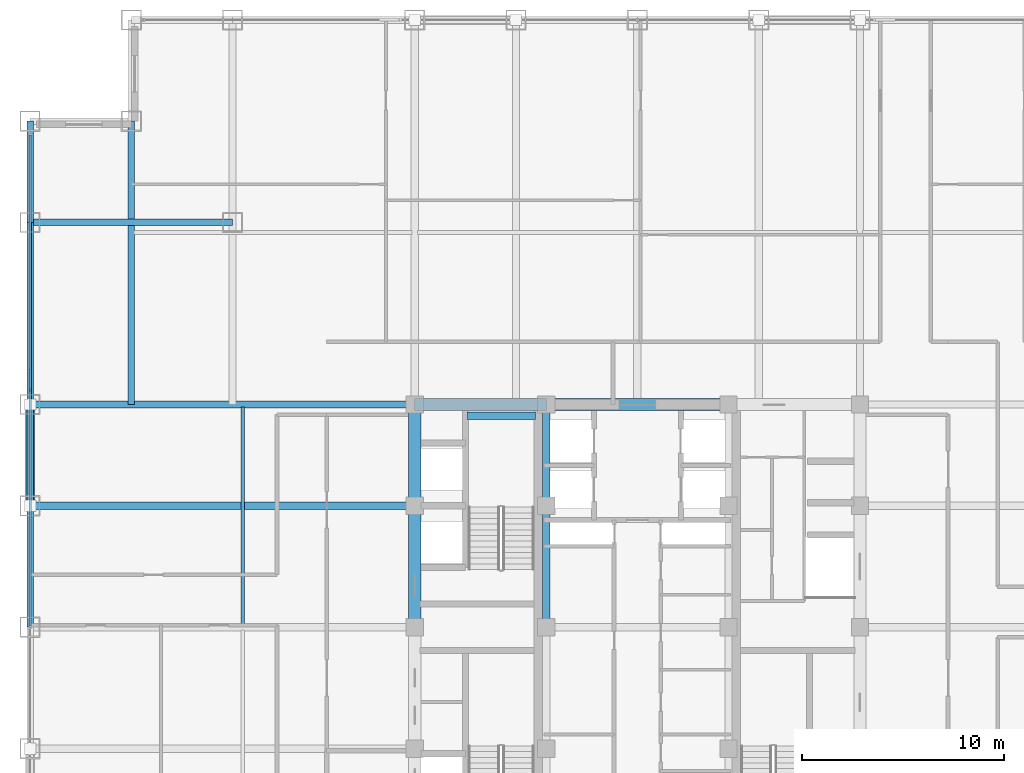
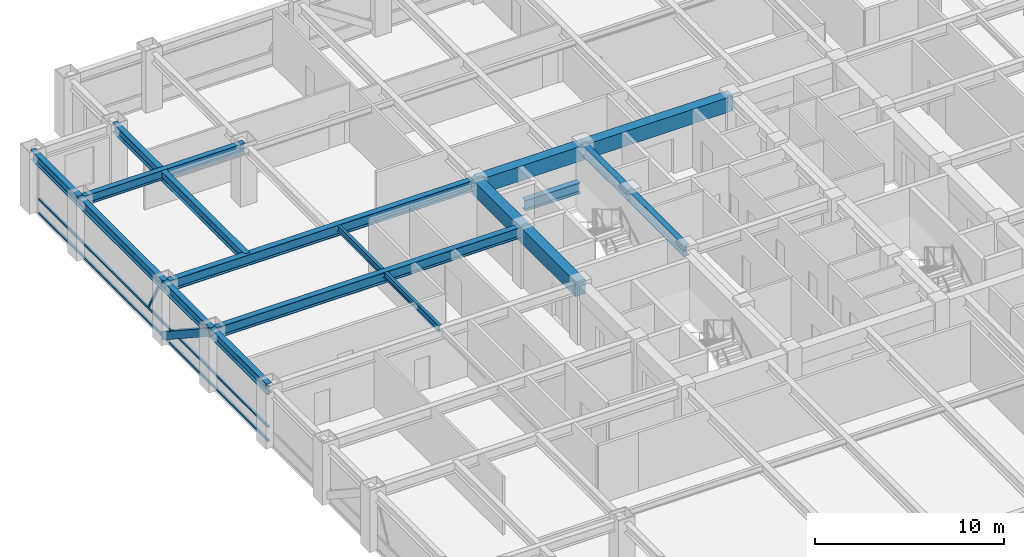
# One storey, part 11 of 25: 16 beams, 5 members, 1 element without a shape of its own.
"""IFC4 building model written with IfcOpenShell, lengths in metres."""

from ifc_helpers import new_model, si_unit, direction, frame, origin, origin_2d, place, context, subcontext, project, spatial, rectangle, hollow_rectangle, i_section, extrude, source, transform, mapped, material, material_profile, profile_set, type_object, element, aggregate, save


model = new_model("IFC4")

# Units and contexts
model_context = context("Model", 3, precision=1e-05, world=origin(), true_north=direction((0.0, 1.0)))
body_context = subcontext(model_context, "Body", "Model", "MODEL_VIEW")
ifc_project = project(units=[si_unit("LENGTHUNIT", "METRE"), si_unit("AREAUNIT", "SQUARE_METRE"), si_unit("VOLUMEUNIT", "CUBIC_METRE"), si_unit("PLANEANGLEUNIT", "RADIAN"), si_unit("MASSUNIT", "GRAM", prefix="KILO")], contexts=[model_context])

# Site, building, storey
site_placement = place(None, origin())
site = spatial("IfcSite", under=ifc_project, at=site_placement, CompositionType="ELEMENT")
building_placement = place(site_placement, origin())
building = spatial("IfcBuilding", under=site, at=building_placement, Name="Khorayat Bourse Tower", CompositionType="ELEMENT")
storey_placement = place(building_placement, frame((0.0, 0.0, 231.10009765625)))
storey = spatial("IfcBuildingStorey", under=building, at=storey_placement, Name="L54", CompositionType="ELEMENT", Elevation=231.10009765625)

# Beams
ifc_material_1 = material(Name="Steel ASTM A992 Grade 50", Category="steel")
ifc_material_profile_1 = material_profile(ifc_material_1, i_section(OverallWidth=0.35498046875, OverallDepth=0.695068359375, WebThickness=0.015380859375, FlangeThickness=0.02490234375, FilletRadius=0.01806640625, at=origin_2d()), Name="W690X217")
ifc_profile_set_1 = profile_set([ifc_material_profile_1], Name="Steel ASTM A992 Grade 50")
beam_type_1 = type_object("IfcBeamType", Name="BM-GIRD-690", PredefinedType="BEAM", material=ifc_profile_set_1)
shared_shape_1 = source(origin(), body_context, "Body", "SweptSolid", [
    extrude(i_section(OverallWidth=0.35498046875, OverallDepth=0.695068359375, WebThickness=0.015380859375, FlangeThickness=0.02490234375, FilletRadius=0.01806640625, at=origin_2d()), origin(), (0.0, 0.0, 1.0), 5.0),
])
beam_1_placement = place(storey_placement, frame((-4.5, 6.0, 3.432373046875), z_axis=(0.0, 1.0, 0.0), x_axis=(-1.0, 0.0, 0.0)))
element("IfcBeam", 1, at=beam_1_placement, inside=storey, type_object=beam_type_1, Name="L54 BM-GIRD-690 BM-L54-CRX-08", PredefinedType="BEAM", context=body_context, shape_type="MappedRepresentation", body=[
    mapped(shared_shape_1, transform((0.0, 0.0, 0.0), scale=1.0)),
])
shared_shape_2 = source(origin(), body_context, "Body", "SweptSolid", [
    extrude(i_section(OverallWidth=0.35498046875, OverallDepth=0.695068359375, WebThickness=0.015380859375, FlangeThickness=0.02490234375, FilletRadius=0.01806640625, at=origin_2d()), origin(), (0.0, 0.0, 1.0), 6.0),
])
beam_2_placement = place(storey_placement, frame((-4.5, 0.0, 3.432373046875), z_axis=(0.0, 1.0, 0.0), x_axis=(-1.0, 0.0, 0.0)))
element("IfcBeam", 2, at=beam_2_placement, inside=storey, type_object=beam_type_1, Name="L54 BM-GIRD-690 BM-L54-CRX-07", PredefinedType="BEAM", context=body_context, shape_type="MappedRepresentation", body=[
    mapped(shared_shape_2, transform((0.0, 0.0, 0.0), scale=1.0)),
])
shared_shape_3 = source(origin(), body_context, "Body", "SweptSolid", [
    extrude(i_section(OverallWidth=0.35498046875, OverallDepth=0.695068359375, WebThickness=0.015380859375, FlangeThickness=0.02490234375, FilletRadius=0.01806640625, at=origin_2d()), origin(), (0.0, 0.0, 1.0), 3.39990234375),
])
beam_3_placement = place(storey_placement, frame((-8.419921875, 10.449951171875, 1.452392578125), z_axis=(1.0, 0.0, 0.0), x_axis=(0.0, 1.0, 0.0)))
element("IfcBeam", 3, at=beam_3_placement, inside=storey, type_object=beam_type_1, Name="L54 BM-GIRD-690 BM-L54-ST2L", PredefinedType="BEAM", context=body_context, shape_type="MappedRepresentation", body=[
    mapped(shared_shape_3, transform((0.0, 0.0, 0.0), scale=1.0)),
])
ifc_material_profile_2 = material_profile(ifc_material_1, i_section(OverallWidth=0.324951171875, OverallDepth=0.615966796875, WebThickness=0.013916015625, FlangeThickness=0.021484375, FilletRadius=0.01611328125, at=origin_2d()), Name="W610X174")
ifc_profile_set_2 = profile_set([ifc_material_profile_2], Name="Steel ASTM A992 Grade 50")
beam_type_2 = type_object("IfcBeamType", Name="BM-GIRD-610", PredefinedType="BEAM", material=ifc_profile_set_2)
shared_shape_4 = source(origin(), body_context, "Body", "SweptSolid", [
    extrude(i_section(OverallWidth=0.324951171875, OverallDepth=0.615966796875, WebThickness=0.013916015625, FlangeThickness=0.021484375, FilletRadius=0.01611328125, at=origin_2d()), origin(), (0.0, 0.0, 1.0), 10.0),
])
beam_4_placement = place(storey_placement, frame((-30.0, 20.0, 3.471923828125), z_axis=(1.0, 0.0, 0.0), x_axis=(0.0, 1.0, 0.0)))
element("IfcBeam", 4, at=beam_4_placement, inside=storey, type_object=beam_type_2, Name="L54 BM-GIRD-610 BM-L54-CNRX-095", PredefinedType="BEAM", context=body_context, shape_type="MappedRepresentation", body=[
    mapped(shared_shape_4, transform((0.0, 0.0, 0.0), scale=1.0)),
])
ifc_material_profile_3 = material_profile(ifc_material_1, i_section(OverallWidth=0.180908203125, OverallDepth=0.4169921875, WebThickness=0.010986328125, FlangeThickness=0.018310546875, FilletRadius=0.011962890625, at=origin_2d()), Name="W410X85")
ifc_profile_set_3 = profile_set([ifc_material_profile_3], Name="Steel ASTM A992 Grade 50")
beam_type_3 = type_object("IfcBeamType", Name="BM-JOIST-410", PredefinedType="JOIST", material=ifc_profile_set_3)
shared_shape_5 = source(origin(), body_context, "Body", "SweptSolid", [
    extrude(i_section(OverallWidth=0.180908203125, OverallDepth=0.4169921875, WebThickness=0.010986328125, FlangeThickness=0.018310546875, FilletRadius=0.011962890625, at=origin_2d()), origin(), (0.0, 0.0, 1.0), 10.740234375),
])
beam_5_placement = place(storey_placement, frame((-19.5, 0.1298828125, 3.5712890625), z_axis=(0.0, 1.0, 0.0), x_axis=(-1.0, 0.0, 0.0)))
element("IfcBeam", 5, at=beam_5_placement, inside=storey, type_object=beam_type_3, Name="L54 BM-JOIST-410 BM-L54-JSTY-103", PredefinedType="JOIST", context=body_context, shape_type="MappedRepresentation", body=[
    mapped(shared_shape_5, transform((0.0, 0.0, 0.0), scale=1.0)),
])
ifc_material_profile_4 = material_profile(ifc_material_1, i_section(OverallWidth=0.324951171875, OverallDepth=0.615966796875, WebThickness=0.013916015625, FlangeThickness=0.021484375, FilletRadius=0.01611328125, at=origin_2d()), Name="W610X174")
ifc_profile_set_4 = profile_set([ifc_material_profile_4], Name="Steel ASTM A992 Grade 50")
beam_type_4 = type_object("IfcBeamType", Name="BM-SPAN-610", PredefinedType="SPANDREL", material=ifc_profile_set_4)
shared_shape_6 = source(origin(), body_context, "Body", "SweptSolid", [
    extrude(i_section(OverallWidth=0.324951171875, OverallDepth=0.615966796875, WebThickness=0.013916015625, FlangeThickness=0.021484375, FilletRadius=0.01611328125, at=origin_2d()), origin(), (0.0, 0.0, 1.0), 9.0),
])
beam_6_placement = place(storey_placement, frame((-30.0, 11.0, 3.471923828125), z_axis=(0.0, 1.0, 0.0), x_axis=(-1.0, 0.0, 0.0)))
element("IfcBeam", 6, at=beam_6_placement, inside=storey, type_object=beam_type_4, Name="L54 BM-SPAN-610 BM-L54-SPN-055", PredefinedType="SPANDREL", context=body_context, shape_type="MappedRepresentation", body=[
    mapped(shared_shape_6, transform((0.0, 0.0, 0.0), scale=1.0)),
])
shared_shape_7 = source(origin(), body_context, "Body", "SweptSolid", [
    extrude(i_section(OverallWidth=0.324951171875, OverallDepth=0.615966796875, WebThickness=0.013916015625, FlangeThickness=0.021484375, FilletRadius=0.01611328125, at=origin_2d()), origin(), (0.0, 0.0, 1.0), 5.0),
])
for number, where, z_axis, x_axis, name in (
    (7, (-30.0, 20.0, 3.471923828125), (0.0, 1.0, 0.0), (-1.0, 0.0, 0.0), "L54 BM-SPAN-610 BM-L54-SPN-054"),
    (8, (-30.0, 6.0, 3.471923828125), (0.0, 1.0, 0.0), (-1.0, 0.0, 0.0), "L54 BM-SPAN-610 BM-L54-SPN-056"),
):
    element("IfcBeam", number, at=place(storey_placement, frame(where, z_axis=z_axis, x_axis=x_axis)), inside=storey, type_object=beam_type_4, Name=name, PredefinedType="SPANDREL", context=body_context, shape_type="MappedRepresentation", body=[
        mapped(shared_shape_7, transform((0.0, 0.0, 0.0), scale=1.0)),
    ])
shared_shape_8 = source(origin(), body_context, "Body", "SweptSolid", [
    extrude(i_section(OverallWidth=0.324951171875, OverallDepth=0.615966796875, WebThickness=0.013916015625, FlangeThickness=0.021484375, FilletRadius=0.01611328125, at=origin_2d()), origin(), (0.0, 0.0, 1.0), 6.0),
])
beam_7_placement = place(storey_placement, frame((-30.0, 0.0, 3.471923828125), z_axis=(0.0, 1.0, 0.0), x_axis=(-1.0, 0.0, 0.0)))
element("IfcBeam", 9, at=beam_7_placement, inside=storey, type_object=beam_type_4, Name="L54 BM-SPAN-610 BM-L54-SPN-057", PredefinedType="SPANDREL", context=body_context, shape_type="MappedRepresentation", body=[
    mapped(shared_shape_8, transform((0.0, 0.0, 0.0), scale=1.0)),
])
ifc_material_2 = material(Name="Concrete C60/75", Category="concrete")
ifc_material_profile_5 = material_profile(ifc_material_2, rectangle(XDim=0.60009765625, YDim=0.949951171875, at=origin_2d()), Name="RC 600x950")
ifc_profile_set_5 = profile_set([ifc_material_profile_5], Name="Concrete C60/75")
beam_type_5 = type_object("IfcBeamType", Name="BM-COUP-950", PredefinedType="BEAM", material=ifc_profile_set_5)
shared_shape_9 = source(origin(), body_context, "Body", "SweptSolid", [
    extrude(rectangle(XDim=0.60009765625, YDim=0.949951171875, at=origin_2d()), origin(), (0.0, 0.0, 1.0), 5.0),
])
beam_8_placement = place(storey_placement, frame((-11.0, 6.0, 3.304931640625), z_axis=(0.0, 1.0, 0.0), x_axis=(-1.0, 0.0, 0.0)))
element("IfcBeam", 10, at=beam_8_placement, inside=storey, type_object=beam_type_5, Name="L54 BM-COUP-950 BM-L54-CRX-04", PredefinedType="BEAM", context=body_context, shape_type="MappedRepresentation", body=[
    mapped(shared_shape_9, transform((0.0, 0.0, 0.0), scale=1.0)),
])
shared_shape_10 = source(origin(), body_context, "Body", "SweptSolid", [
    extrude(rectangle(XDim=0.60009765625, YDim=0.949951171875, at=origin_2d()), origin(), (0.0, 0.0, 1.0), 6.0),
])
beam_9_placement = place(storey_placement, frame((-11.0, 0.0, 3.304931640625), z_axis=(0.0, 1.0, 0.0), x_axis=(-1.0, 0.0, 0.0)))
element("IfcBeam", 11, at=beam_9_placement, inside=storey, type_object=beam_type_5, Name="L54 BM-COUP-950 BM-L54-CRX-03", PredefinedType="BEAM", context=body_context, shape_type="MappedRepresentation", body=[
    mapped(shared_shape_10, transform((0.0, 0.0, 0.0), scale=1.0)),
])
shared_shape_11 = source(origin(), body_context, "Body", "SweptSolid", [
    extrude(rectangle(XDim=0.60009765625, YDim=0.949951171875, at=origin_2d()), origin(), (0.0, 0.0, 1.0), 6.5),
])
beam_10_placement = place(storey_placement, frame((-11.0, 11.0, 3.304931640625), z_axis=(1.0, 0.0, 0.0), x_axis=(0.0, 1.0, 0.0)))
element("IfcBeam", 12, at=beam_10_placement, inside=storey, type_object=beam_type_5, Name="L54 BM-COUP-950 BM-L54-CRY-20", PredefinedType="BEAM", context=body_context, shape_type="MappedRepresentation", body=[
    mapped(shared_shape_11, transform((0.0, 0.0, 0.0), scale=1.0)),
])
shared_shape_12 = source(origin(), body_context, "Body", "SweptSolid", [
    extrude(rectangle(XDim=0.60009765625, YDim=0.949951171875, at=origin_2d()), origin(), (0.0, 0.0, 1.0), 9.0),
])
beam_11_placement = place(storey_placement, frame((-4.5, 11.0, 3.304931640625), z_axis=(1.0, 0.0, 0.0), x_axis=(0.0, 1.0, 0.0)))
element("IfcBeam", 13, at=beam_11_placement, inside=storey, type_object=beam_type_5, Name="L54 BM-COUP-950 BM-L54-CRY-21", PredefinedType="BEAM", context=body_context, shape_type="MappedRepresentation", body=[
    mapped(shared_shape_12, transform((0.0, 0.0, 0.0), scale=1.0)),
])
shared_shape_13 = source(origin(), body_context, "Body", "SweptSolid", [
    extrude(i_section(OverallWidth=0.35498046875, OverallDepth=0.695068359375, WebThickness=0.015380859375, FlangeThickness=0.02490234375, FilletRadius=0.01806640625, at=origin_2d()), origin(), (0.0, 0.0, 1.0), 19.0),
])
for number, where, z_axis, x_axis, name in (
    (14, (-30.0, 6.0, 3.432373046875), (1.0, 0.0, 0.0), (0.0, 1.0, 0.0), "L54 BM-GIRD-690 BM-L54-RADX-081"),
    (15, (-30.0, 11.0, 3.432373046875), (1.0, 0.0, 0.0), (0.0, 1.0, 0.0), "L54 BM-GIRD-690 BM-L54-RADX-083"),
):
    element("IfcBeam", number, at=place(storey_placement, frame(where, z_axis=z_axis, x_axis=x_axis)), inside=storey, type_object=beam_type_1, Name=name, PredefinedType="BEAM", context=body_context, shape_type="MappedRepresentation", body=[
        mapped(shared_shape_13, transform((0.0, 0.0, 0.0), scale=1.0)),
    ])
shared_shape_14 = source(origin(), body_context, "Body", "SweptSolid", [
    extrude(i_section(OverallWidth=0.324951171875, OverallDepth=0.615966796875, WebThickness=0.013916015625, FlangeThickness=0.021484375, FilletRadius=0.01611328125, at=origin_2d()), origin(), (0.0, 0.0, 1.0), 14.0),
])
beam_12_placement = place(storey_placement, frame((-25.0, 11.0, 3.471923828125), z_axis=(0.0, 1.0, 0.0), x_axis=(-1.0, 0.0, 0.0)))
element("IfcBeam", 16, at=beam_12_placement, inside=storey, type_object=beam_type_2, Name="L54 BM-GIRD-610 BM-L54-CNRY-089", PredefinedType="BEAM", context=body_context, shape_type="MappedRepresentation", body=[
    mapped(shared_shape_14, transform((0.0, 0.0, 0.0), scale=1.0)),
])

# Member
ifc_material_3 = material(Name="Steel EN 10025-4 S460M", Category="steel")
ifc_material_profile_6 = material_profile(ifc_material_3, hollow_rectangle(XDim=0.449951171875, YDim=0.449951171875, WallThickness=0.02490234375, at=origin_2d()), Name="HSS 450x450x25")
ifc_profile_set_6 = profile_set([ifc_material_profile_6], Name="Steel EN 10025-4 S460M")
member_type_1 = type_object("IfcMemberType", Name="MBR-TUBE-450", PredefinedType="BRACE", material=ifc_profile_set_6)
shared_shape_15 = source(origin(), body_context, "Body", "SweptSolid", [
    extrude(hollow_rectangle(XDim=0.449951171875, YDim=0.449951171875, WallThickness=0.02490234375, at=origin_2d()), origin(), (0.0, 0.0, 1.0), 5.979736328125),
])
member_1_placement = place(storey_placement, frame((-30.0, 6.0, 3.52978515625), z_axis=(0.0, 0.836160261256, -0.548485202623), x_axis=(-1.0, 0.0, 0.0)))
element("IfcMember", 17, at=member_1_placement, inside=storey, type_object=member_type_1, Name="L54 Perimeter Tube Brace 06", PredefinedType="BRACE", context=body_context, shape_type="MappedRepresentation", body=[
    mapped(shared_shape_15, transform((0.0, 0.0, 0.0), scale=1.0)),
])

# Curtain wall, members
ifc_material_4 = material(Name="Aluminium EN AW-6063 T6", Category="aluminium")
curtain_wall_type = type_object("IfcCurtainWallType", Name="CW-SYS-03", PredefinedType="NOTDEFINED", material=ifc_material_4)
curtain_wall_placement = place(storey_placement, origin())
curtain_wall = element("IfcCurtainWall", 18, at=curtain_wall_placement, inside=storey, type_object=curtain_wall_type, Name="L54 Curtain Wall CW-L54-W1", PredefinedType="NOTDEFINED")
ifc_material_profile_7 = material_profile(ifc_material_4, hollow_rectangle(XDim=0.1201171875, YDim=0.1201171875, WallThickness=0.0048828125, at=origin_2d()), Name="ALU 120x120x5")
ifc_profile_set_7 = profile_set([ifc_material_profile_7], Name="Aluminium EN AW-6063 T6")
member_type_2 = type_object("IfcMemberType", Name="CWM-DIAG-120", PredefinedType="MULLION", material=ifc_profile_set_7)
shared_shape_16 = source(origin(), body_context, "Body", "SweptSolid", [
    extrude(hollow_rectangle(XDim=0.1201171875, YDim=0.1201171875, WallThickness=0.0048828125, at=origin_2d()), origin(), (0.0, 0.0, 1.0), 2.079345703125),
])
member_2_placement = place(storey_placement, frame((-30.0, 12.67919921875, 1.08984375), z_axis=(0.0, -0.465760949701, 0.884910581773), x_axis=(1.0, 0.0, 0.0)))
member_2 = element("IfcMember", 19, at=member_2_placement, type_object=member_type_2, Name="CW-L54-W1 Faceted Diagonal Mullion 2", PredefinedType="MULLION", context=body_context, shape_type="MappedRepresentation", body=[
    mapped(shared_shape_16, transform((0.0, 0.0, 0.0), scale=1.0)),
])
ifc_material_profile_8 = material_profile(ifc_material_4, hollow_rectangle(XDim=0.1201171875, YDim=0.1201171875, WallThickness=0.0048828125, at=origin_2d()), Name="ALU 120x120x5")
ifc_profile_set_8 = profile_set([ifc_material_profile_8], Name="Aluminium EN AW-6063 T6")
member_type_3 = type_object("IfcMemberType", Name="CWT-HORZ-120", PredefinedType="USERDEFINED", material=ifc_profile_set_8)
shared_shape_17 = source(origin(), body_context, "Body", "SweptSolid", [
    extrude(hollow_rectangle(XDim=0.1201171875, YDim=0.1201171875, WallThickness=0.0048828125, at=origin_2d()), origin(), (0.0, 0.0, 1.0), 24.27001953125),
])
member_3_placement = place(storey_placement, frame((-30.0, 0.06005859375, 0.059814453125), z_axis=(0.0, 1.0, 0.0), x_axis=(-1.0, 0.0, 0.0)))
member_3 = element("IfcMember", 20, at=member_3_placement, type_object=member_type_3, Name="CW-L54-W1 Horizontal Transom 2-1", ObjectType="TRANSOM", PredefinedType="USERDEFINED", context=body_context, shape_type="MappedRepresentation", body=[
    mapped(shared_shape_17, transform((0.0, 0.0, 0.0), scale=1.0)),
])
member_4_placement = place(storey_placement, frame((-30.0, 0.06005859375, 0.949951171875), z_axis=(0.0, 1.0, 0.0), x_axis=(-1.0, 0.0, 0.0)))
member_4 = element("IfcMember", 21, at=member_4_placement, type_object=member_type_3, Name="CW-L54-W1 Horizontal Transom 2-2", ObjectType="TRANSOM", PredefinedType="USERDEFINED", context=body_context, shape_type="MappedRepresentation", body=[
    mapped(shared_shape_17, transform((0.0, 0.0, 0.0), scale=1.0)),
])
member_5_placement = place(storey_placement, frame((-30.0, 0.06005859375, 3.06982421875), z_axis=(0.0, 1.0, 0.0), x_axis=(-1.0, 0.0, 0.0)))
member_5 = element("IfcMember", 22, at=member_5_placement, type_object=member_type_3, Name="CW-L54-W1 Horizontal Transom 2-3", ObjectType="TRANSOM", PredefinedType="USERDEFINED", context=body_context, shape_type="MappedRepresentation", body=[
    mapped(shared_shape_17, transform((0.0, 0.0, 0.0), scale=1.0)),
])
aggregate(curtain_wall, [member_3, member_4, member_5, member_2])

save(model, "model.ifc")
